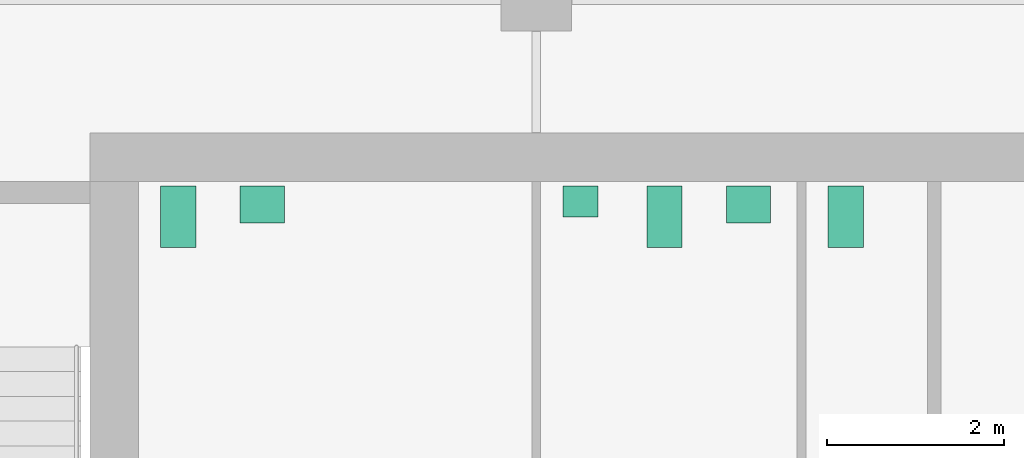
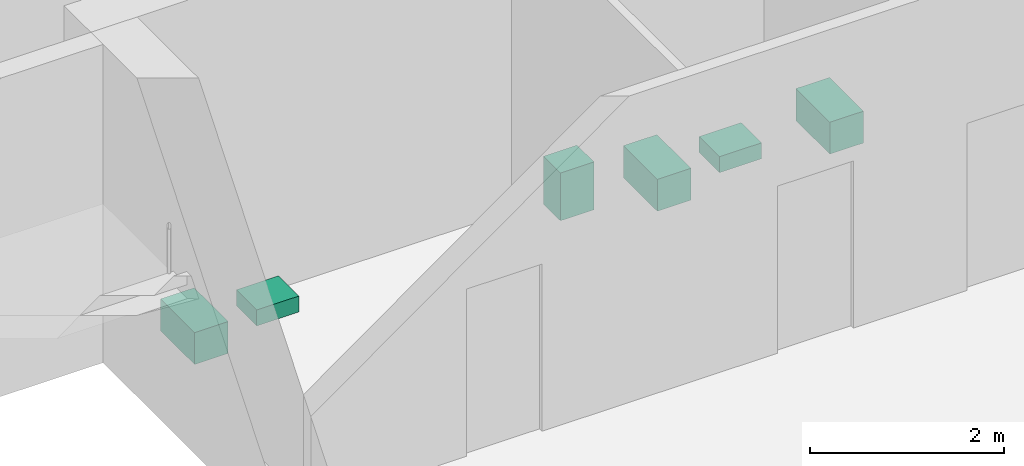
# One storey, part 8 of 8: 6 sanitary terminals.
"""IFC4 building model written with IfcOpenShell, lengths in metres."""

from ifc_helpers import new_model, si_unit, direction, frame, origin, origin_2d, place, context, subcontext, project, spatial, rectangle, extrude, material, type_object, element, save


model = new_model("IFC4")

# Units and contexts
model_context = context("Model", 3, precision=1e-05, world=origin(), true_north=direction((0.0, 1.0)))
body_context = subcontext(model_context, "Body", "Model", "MODEL_VIEW")
ifc_project = project(units=[si_unit("LENGTHUNIT", "METRE"), si_unit("AREAUNIT", "SQUARE_METRE"), si_unit("VOLUMEUNIT", "CUBIC_METRE"), si_unit("PLANEANGLEUNIT", "RADIAN"), si_unit("MASSUNIT", "GRAM", prefix="KILO")], contexts=[model_context])

# Site, building, storey
site_placement = place(None, origin())
site = spatial("IfcSite", under=ifc_project, at=site_placement, CompositionType="ELEMENT")
building_placement = place(site_placement, origin())
building = spatial("IfcBuilding", under=site, at=building_placement, Name="Cinnabar Reach Civic Tower", CompositionType="ELEMENT")
storey_placement = place(building_placement, frame((0.0, 0.0, 222.0)))
storey = spatial("IfcBuildingStorey", under=building, at=storey_placement, Name="L53", CompositionType="ELEMENT", Elevation=222.0)

# Sanitary terminals
ifc_material = material(Name="Vitreous china")
sanitary_terminal_type_1 = type_object("IfcSanitaryTerminalType", Name="T1 WC pan", PredefinedType="TOILETPAN", material=ifc_material)
for number, where, z_axis, x_axis, name in (
    (1, (4.95, 41.6, 0.0), (0.0, 0.0, 1.0), (1.0, 0.0, 0.0), "T1 WC pan 5308-1"),
    (2, (10.45, 41.6, 0.0), (0.0, 0.0, 1.0), (1.0, 0.0, 0.0), "T1 WC pan 5309-2"),
    (3, (12.5, 41.6, 0.0), (0.0, 0.0, 1.0), (1.0, 0.0, 0.0), "T1 WC pan 5310-1"),
):
    element("IfcSanitaryTerminal", number, at=place(storey_placement, frame(where, z_axis=z_axis, x_axis=x_axis)), inside=storey, type_object=sanitary_terminal_type_1, Name=name, PredefinedType="TOILETPAN", context=body_context, shape_type="SweptSolid", body=[
        extrude(rectangle(XDim=0.4, YDim=0.7, at=origin_2d()), origin(), (0.0, 0.0, 1.0), 0.4),
    ])
sanitary_terminal_type_2 = type_object("IfcSanitaryTerminalType", Name="T1 urinal", PredefinedType="URINAL", material=ifc_material)
sanitary_terminal_placement = place(storey_placement, frame((9.5, 41.775, 0.0), z_axis=(0.0, 0.0, 1.0), x_axis=(1.0, 0.0, 0.0)))
element("IfcSanitaryTerminal", 4, at=sanitary_terminal_placement, inside=storey, type_object=sanitary_terminal_type_2, Name="T1 urinal 5309-1", PredefinedType="URINAL", context=body_context, shape_type="SweptSolid", body=[
    extrude(rectangle(XDim=0.4, YDim=0.35, at=origin_2d()), origin(), (0.0, 0.0, 1.0), 0.6),
])
sanitary_terminal_type_3 = type_object("IfcSanitaryTerminalType", Name="T1 wash basin", PredefinedType="WASHHANDBASIN", material=ifc_material)
for number, where, z_axis, x_axis, name in (
    (5, (5.9, 41.74, 0.0), (0.0, 0.0, 1.0), (1.0, 0.0, 0.0), "T1 wash basin 5308-2"),
    (6, (11.4, 41.74, 0.0), (0.0, 0.0, 1.0), (1.0, 0.0, 0.0), "T1 wash basin 5309-3"),
):
    element("IfcSanitaryTerminal", number, at=place(storey_placement, frame(where, z_axis=z_axis, x_axis=x_axis)), inside=storey, type_object=sanitary_terminal_type_3, Name=name, PredefinedType="WASHHANDBASIN", context=body_context, shape_type="SweptSolid", body=[
        extrude(rectangle(XDim=0.5, YDim=0.42, at=origin_2d()), origin(), (0.0, 0.0, 1.0), 0.2),
    ])

save(model, "model.ifc")
